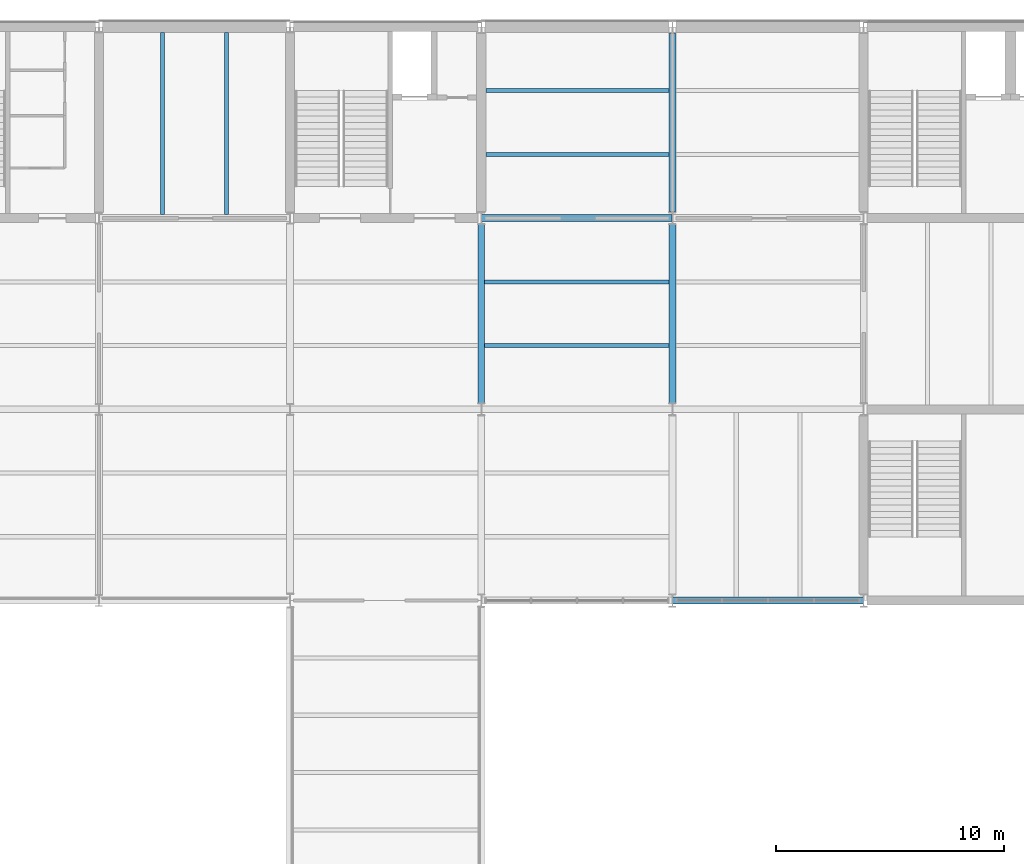
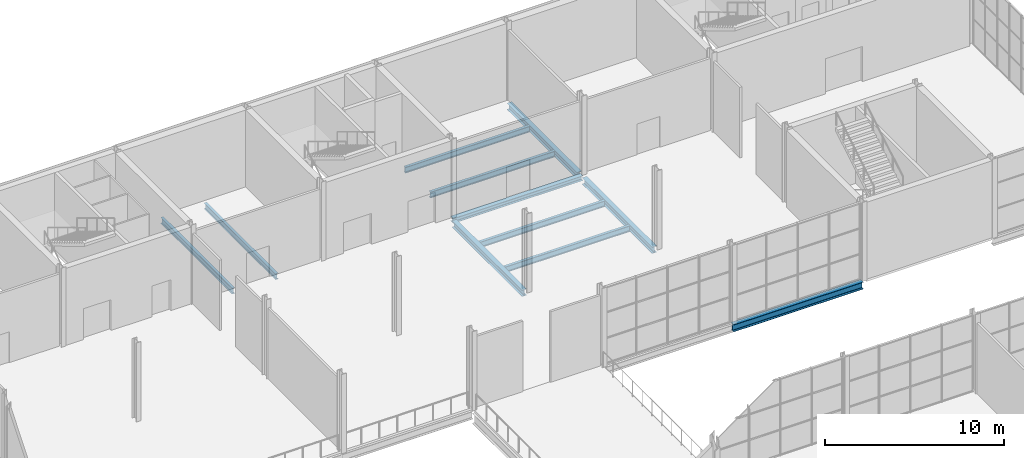
# One storey, part 27 of 64: 11 beams.
"""IFC4 building model written with IfcOpenShell, lengths in metres."""

from ifc_helpers import new_model, si_unit, direction, frame, origin, origin_2d, place, context, subcontext, project, spatial, i_section, extrude, material, material_profile, profile_set, type_object, element, save


model = new_model("IFC4")

# Units and contexts
model_context = context("Model", 3, precision=1e-05, world=origin(), true_north=direction((0.0, 1.0)))
body_context = subcontext(model_context, "Body", "Model", "MODEL_VIEW")
ifc_project = project(units=[si_unit("LENGTHUNIT", "METRE"), si_unit("AREAUNIT", "SQUARE_METRE"), si_unit("VOLUMEUNIT", "CUBIC_METRE"), si_unit("PLANEANGLEUNIT", "RADIAN"), si_unit("MASSUNIT", "GRAM", prefix="KILO")], contexts=[model_context])

# Site, building, storey
site_placement = place(None, origin())
site = spatial("IfcSite", under=ifc_project, at=site_placement, CompositionType="ELEMENT")
building_placement = place(site_placement, origin())
building = spatial("IfcBuilding", under=site, at=building_placement, Name="Galleria Vessillo Department Store", CompositionType="ELEMENT")
storey_placement = place(building_placement, frame((0.0, 0.0, 6.0)))
storey = spatial("IfcBuildingStorey", under=building, at=storey_placement, Name="L01", CompositionType="ELEMENT", Elevation=6.0)

# Beams
ifc_material_1 = material(Name="Steel S355 J2", Category="steel")
ifc_material_profile_1 = material_profile(ifc_material_1, i_section(OverallWidth=0.300048828125, OverallDepth=0.43994140625, WebThickness=0.011474609375, FlangeThickness=0.02099609375, FilletRadius=0.027099609375, at=origin_2d()), Name="HEA 450")
ifc_profile_set_1 = profile_set([ifc_material_profile_1], Name="Steel S355 J2")
beam_type_1 = type_object("IfcBeamType", Name="Floor girder HEA 450", PredefinedType="BEAM", material=ifc_profile_set_1)
for number, where, z_axis, x_axis, name in (
    (1, (84.0, 46.486083984375, -0.369873046875), (0.0, 1.0, 0.0), (-1.0, 0.0, 0.0), "S-BM-L01-GI-y84000-46486"),
    (2, (92.39990234375, 46.486083984375, -0.369873046875), (0.0, 1.0, 0.0), (-1.0, 0.0, 0.0), "S-BM-L01-GI-y92400-46486"),
):
    element("IfcBeam", number, at=place(storey_placement, frame(where, z_axis=z_axis, x_axis=x_axis)), inside=storey, type_object=beam_type_1, Name=name, PredefinedType="BEAM", context=body_context, shape_type="SweptSolid", body=[
        extrude(i_section(OverallWidth=0.300048828125, OverallDepth=0.43994140625, WebThickness=0.011474609375, FlangeThickness=0.02099609375, FilletRadius=0.027099609375, at=origin_2d()), origin(), (0.0, 0.0, 1.0), 7.827880859375),
    ])
beam_1_placement = place(storey_placement, frame((92.39990234375, 54.88623046875, -0.369873046875), z_axis=(0.0, 1.0, 0.0), x_axis=(-1.0, 0.0, 0.0)))
element("IfcBeam", 3, at=beam_1_placement, inside=storey, type_object=beam_type_1, Name="S-BM-L01-GI-y92400-54886", PredefinedType="BEAM", context=body_context, shape_type="SweptSolid", body=[
    extrude(i_section(OverallWidth=0.300048828125, OverallDepth=0.43994140625, WebThickness=0.011474609375, FlangeThickness=0.02099609375, FilletRadius=0.027099609375, at=origin_2d()), origin(), (0.0, 0.0, 1.0), 7.82763671875),
])
ifc_material_2 = material(Name="Steel S355 J2", Category="steel")
ifc_material_profile_2 = material_profile(ifc_material_2, i_section(OverallWidth=0.179931640625, OverallDepth=0.39990234375, WebThickness=0.008544921875, FlangeThickness=0.013427734375, FilletRadius=0.02099609375, at=origin_2d()), Name="IPE 400")
ifc_profile_set_2 = profile_set([ifc_material_profile_2], Name="Steel S355 J2")
beam_type_2 = type_object("IfcBeamType", Name="Floor joist IPE 400", PredefinedType="JOIST", material=ifc_profile_set_2)
for number, where, z_axis, x_axis, name in (
    (4, (70.0, 54.750244140625, -0.349853515625), (0.0, 1.0, 0.0), (-1.0, 0.0, 0.0), "S-BM-L01-JO-y70000-54750"),
    (5, (72.800048828125, 54.750244140625, -0.349853515625), (0.0, 1.0, 0.0), (-1.0, 0.0, 0.0), "S-BM-L01-JO-y72800-54750"),
):
    element("IfcBeam", number, at=place(storey_placement, frame(where, z_axis=z_axis, x_axis=x_axis)), inside=storey, type_object=beam_type_2, Name=name, PredefinedType="JOIST", context=body_context, shape_type="SweptSolid", body=[
        extrude(i_section(OverallWidth=0.179931640625, OverallDepth=0.39990234375, WebThickness=0.008544921875, FlangeThickness=0.013427734375, FilletRadius=0.02099609375, at=origin_2d()), origin(), (0.0, 0.0, 1.0), 7.99951171875),
    ])
for number, where, z_axis, x_axis, name in (
    (6, (84.150146484375, 49.0, -0.349853515625), (1.0, 0.0, 0.0), (0.0, 1.0, 0.0), "S-BM-L01-JO-x49000-84150"),
    (7, (84.150146484375, 51.800048828125, -0.349853515625), (1.0, 0.0, 0.0), (0.0, 1.0, 0.0), "S-BM-L01-JO-x51800-84150"),
):
    element("IfcBeam", number, at=place(storey_placement, frame(where, z_axis=z_axis, x_axis=x_axis)), inside=storey, type_object=beam_type_2, Name=name, PredefinedType="JOIST", context=body_context, shape_type="SweptSolid", body=[
        extrude(i_section(OverallWidth=0.179931640625, OverallDepth=0.39990234375, WebThickness=0.008544921875, FlangeThickness=0.013427734375, FilletRadius=0.02099609375, at=origin_2d()), origin(), (0.0, 0.0, 1.0), 8.099609375),
    ])
for number, where, z_axis, x_axis, name in (
    (8, (84.2001953125, 57.39990234375, -0.349853515625), (1.0, 0.0, 0.0), (0.0, 1.0, 0.0), "S-BM-L01-JO-x57400-84200"),
    (9, (84.2001953125, 60.199951171875, -0.349853515625), (1.0, 0.0, 0.0), (0.0, 1.0, 0.0), "S-BM-L01-JO-x60200-84200"),
):
    element("IfcBeam", number, at=place(storey_placement, frame(where, z_axis=z_axis, x_axis=x_axis)), inside=storey, type_object=beam_type_2, Name=name, PredefinedType="JOIST", context=body_context, shape_type="SweptSolid", body=[
        extrude(i_section(OverallWidth=0.179931640625, OverallDepth=0.39990234375, WebThickness=0.008544921875, FlangeThickness=0.013427734375, FilletRadius=0.02099609375, at=origin_2d()), origin(), (0.0, 0.0, 1.0), 8.049560546875),
    ])
ifc_material_3 = material(Name="Steel S355 J2", Category="steel")
ifc_material_profile_3 = material_profile(ifc_material_3, i_section(OverallWidth=0.300048828125, OverallDepth=0.330078125, WebThickness=0.009521484375, FlangeThickness=0.0166015625, FilletRadius=0.027099609375, at=origin_2d()), Name="HEA 340")
ifc_profile_set_3 = profile_set([ifc_material_profile_3], Name="Steel S355 J2")
beam_type_3 = type_object("IfcBeamType", Name="Floor tie girder HEA 340", PredefinedType="BEAM", material=ifc_profile_set_3)
beam_2_placement = place(storey_placement, frame((84.0107421875, 54.60009765625, -0.31494140625), z_axis=(1.0, 0.0, 0.0), x_axis=(0.0, 1.0, 0.0)))
element("IfcBeam", 10, at=beam_2_placement, inside=storey, type_object=beam_type_3, Name="S-BM-L01-TI-x54600-84011", PredefinedType="BEAM", context=body_context, shape_type="SweptSolid", body=[
    extrude(i_section(OverallWidth=0.300048828125, OverallDepth=0.330078125, WebThickness=0.009521484375, FlangeThickness=0.0166015625, FilletRadius=0.027099609375, at=origin_2d()), origin(), (0.0, 0.0, 1.0), 8.378662109375),
])
ifc_material_4 = material(Name="Steel S355 J2", Category="steel")
ifc_material_profile_4 = material_profile(ifc_material_4, i_section(OverallWidth=0.300048828125, OverallDepth=0.489990234375, WebThickness=0.011962890625, FlangeThickness=0.02294921875, FilletRadius=0.027099609375, at=origin_2d()), Name="HEA 500")
ifc_profile_set_4 = profile_set([ifc_material_profile_4], Name="Steel S355 J2")
beam_type_4 = type_object("IfcBeamType", Name="Trimmer beam HEA 500", PredefinedType="BEAM", material=ifc_profile_set_4)
beam_3_placement = place(storey_placement, frame((92.41064453125, 37.800048828125, -0.39501953125), z_axis=(1.0, 0.0, 0.0), x_axis=(0.0, 1.0, 0.0)))
element("IfcBeam", 11, at=beam_3_placement, inside=storey, type_object=beam_type_4, Name="S-BM-L01-TR-x37800-92411", PredefinedType="BEAM", context=body_context, shape_type="SweptSolid", body=[
    extrude(i_section(OverallWidth=0.300048828125, OverallDepth=0.489990234375, WebThickness=0.011962890625, FlangeThickness=0.02294921875, FilletRadius=0.027099609375, at=origin_2d()), origin(), (0.0, 0.0, 1.0), 8.378662109375),
])

save(model, "model.ifc")
